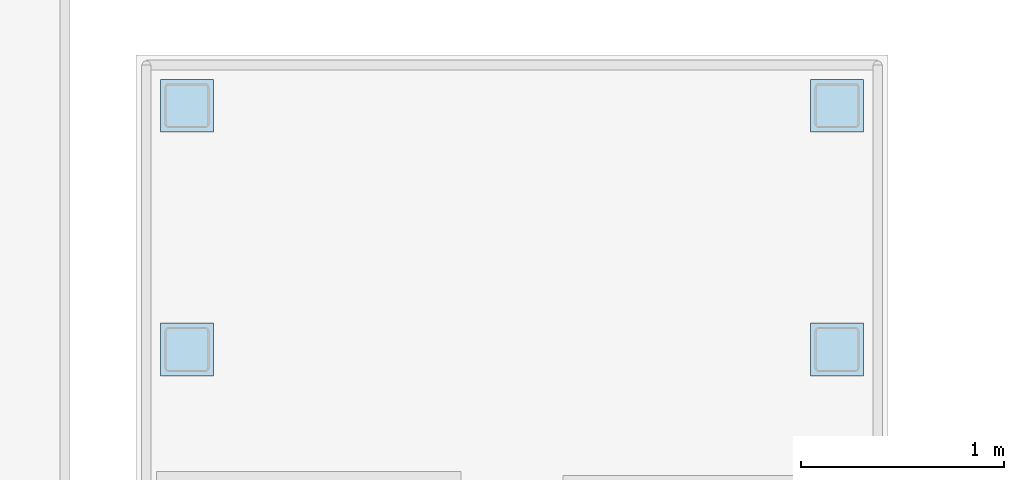
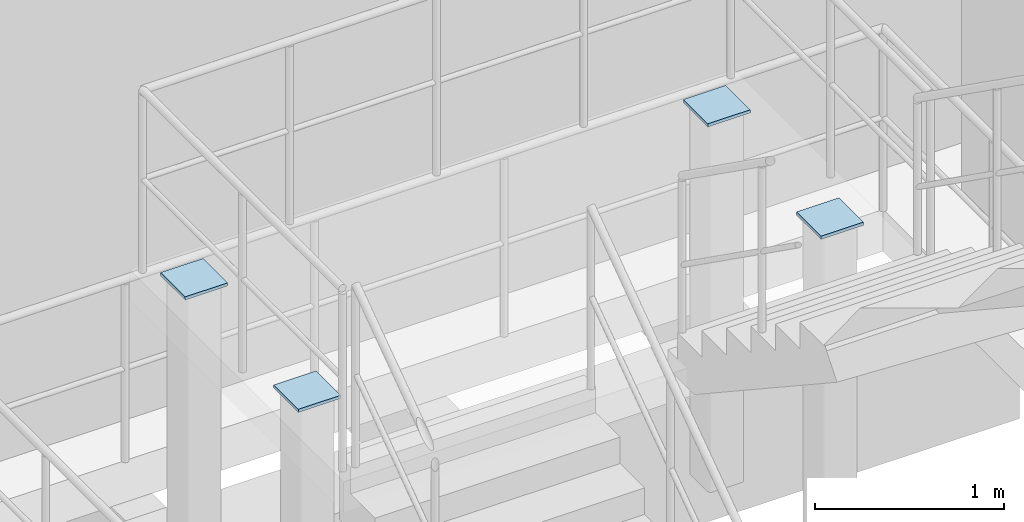
# One storey, part 60 of 77: 4 plates.
"""IFC4 building model written with IfcOpenShell, lengths in metres."""

from ifc_helpers import new_model, si_unit, direction, frame, origin, origin_2d, place, context, subcontext, project, spatial, rectangle, extrude, material, layer, layer_set, type_object, element, save


model = new_model("IFC4")

# Units and contexts
model_context = context("Model", 3, precision=1e-05, world=origin(), true_north=direction((0.0, 1.0)))
body_context = subcontext(model_context, "Body", "Model", "MODEL_VIEW")
ifc_project = project(units=[si_unit("LENGTHUNIT", "METRE"), si_unit("AREAUNIT", "SQUARE_METRE"), si_unit("VOLUMEUNIT", "CUBIC_METRE"), si_unit("PLANEANGLEUNIT", "RADIAN"), si_unit("MASSUNIT", "GRAM", prefix="KILO")], contexts=[model_context])

# Site, building, storey
site_placement = place(None, origin())
site = spatial("IfcSite", under=ifc_project, at=site_placement, CompositionType="ELEMENT")
building_placement = place(site_placement, origin())
building = spatial("IfcBuilding", under=site, at=building_placement, Name="Qiaolan Assembly House", CompositionType="ELEMENT")
storey_placement = place(building_placement, frame((0.0, 0.0, 5.39990234375)))
storey = spatial("IfcBuildingStorey", under=building, at=storey_placement, Name="L01", CompositionType="ELEMENT", Elevation=5.39990234375)

# Plates
ifc_material = material(Name="Steel Q355B", Category="steel")
ifc_layer = layer(ifc_material, 0.02001953125)
ifc_layer_set = layer_set([ifc_layer], Name="Steel Q355B")
plate_type = type_object("IfcPlateType", Name="PLT-CAP-STL-20", PredefinedType="SHEET", material=ifc_layer_set)
for number, where, z_axis, x_axis, name in (
    (1, (159.60009765625, 69.5, 2.39013671875), (0.0, 0.0, 1.0), (1.0, 0.0, 0.0), "NP-04 steel hollow-section seal cap plate 383"),
    (2, (162.800048828125, 69.5, 2.39013671875), (0.0, 0.0, 1.0), (1.0, 0.0, 0.0), "NP-04 steel hollow-section seal cap plate 386"),
    (3, (159.60009765625, 70.699951171875, 2.39013671875), (0.0, 0.0, 1.0), (1.0, 0.0, 0.0), "NP-04 steel hollow-section seal cap plate 389"),
    (4, (162.800048828125, 70.699951171875, 2.39013671875), (0.0, 0.0, 1.0), (1.0, 0.0, 0.0), "NP-04 steel hollow-section seal cap plate 392"),
):
    element("IfcPlate", number, at=place(storey_placement, frame(where, z_axis=z_axis, x_axis=x_axis)), inside=storey, type_object=plate_type, Name=name, PredefinedType="SHEET", context=body_context, shape_type="SweptSolid", body=[
        extrude(rectangle(XDim=0.260009765625, YDim=0.260009765625, at=origin_2d()), origin(), (0.0, 0.0, 1.0), 0.02001953125),
    ])

save(model, "model.ifc")
